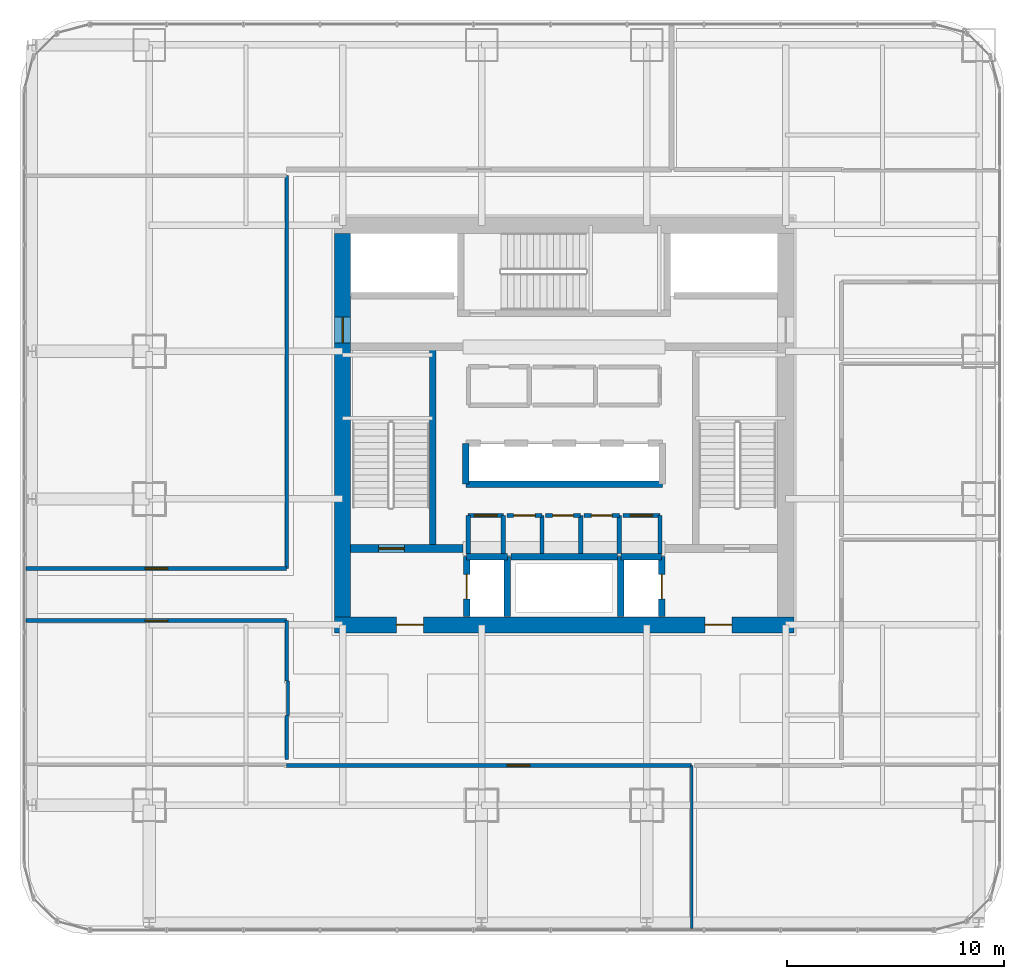
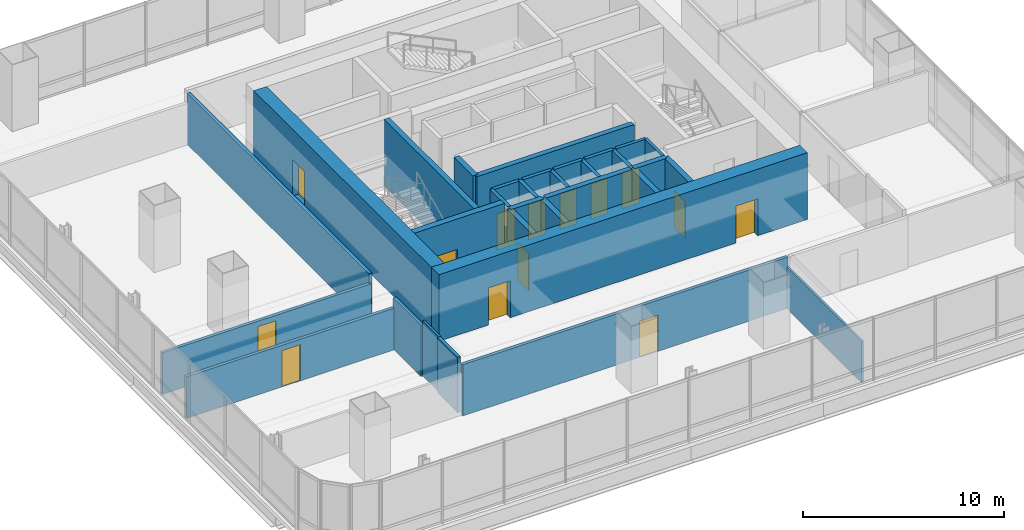
# One storey, part 28 of 35: 32 walls, 14 doors, 14 openings.
"""IFC4 building model written with IfcOpenShell, lengths in metres."""

import ifcopenshell
import ifcopenshell.guid

model = None  # the IFC model being written
_history = None  # IfcOwnerHistory: only IFC2X3 demands one
_inside = {}  # id of a spatial element -> (the spatial element, [elements in it])
_under = {}  # id of a project, library or spatial element -> (it, [spatial elements below it])
_declared = {}  # id of a project -> (the project, [libraries it declares])
_typed = {}  # id of a type object -> (the type object, [elements of that type])
_made_of = {}  # id of a material, layer set ... -> (it, [elements and type objects made of it])


def new_model(schema):
    """Start an empty IFC model of exactly this schema.

    Asked for "IFC4X3", IfcOpenShell would pick the latest addendum, in which some entities
    have other attributes; the version numbers below select the first issue.
    IFC2X3 requires an IfcOwnerHistory on every rooted entity: one is made here for all.
    """
    global model, _history
    if schema == "IFC4X3":
        model = ifcopenshell.file(schema_version=(4, 3, 0, 0))
    else:
        model = ifcopenshell.file(schema=schema)
    _inside.clear()
    _under.clear()
    _declared.clear()
    _typed.clear()
    _made_of.clear()
    _history = None
    if model.schema == "IFC2X3":
        org = make("IfcOrganization", Name="unknown")
        user = make(
            "IfcPersonAndOrganization",
            ThePerson=make("IfcPerson", FamilyName="unknown"),
            TheOrganization=org,
        )
        app = make(
            "IfcApplication",
            ApplicationDeveloper=org,
            Version="unknown",
            ApplicationFullName="unknown",
            ApplicationIdentifier="unknown",
        )
        _history = make(
            "IfcOwnerHistory",
            OwningUser=user,
            OwningApplication=app,
            ChangeAction="ADDED",
            CreationDate=0,
        )
    return model


def make(cls, **values):
    """One entity of the class cls with the attributes given. An attribute that is None is left unset."""
    return model.create_entity(
        cls, **{name: value for name, value in values.items() if value is not None}
    )


def rooted(cls, **values):
    """An entity with a GlobalId (a new one), such as an element, a storey or a relation."""
    return make(cls, GlobalId=ifcopenshell.guid.new(), OwnerHistory=_history, **values)


def si_unit(unit_type, name, prefix=None):
    """IfcSIUnit, for example si_unit("LENGTHUNIT", "METRE", prefix="MILLI")."""
    return make("IfcSIUnit", UnitType=unit_type, Prefix=prefix, Name=name)


def assignment(units):
    """IfcUnitAssignment: the units of a project."""
    return None if units is None else make("IfcUnitAssignment", Units=units)


def point(xyz):
    """IfcCartesianPoint."""
    return None if xyz is None else make("IfcCartesianPoint", Coordinates=xyz)


def direction(xyz):
    """IfcDirection."""
    return None if xyz is None else make("IfcDirection", DirectionRatios=xyz)


def frame(location, z_axis=None, x_axis=None):
    """IfcAxis2Placement3D, a coordinate frame: its origin and axes. An axis left out is left unset."""
    return make(
        "IfcAxis2Placement3D",
        Location=point(location),
        Axis=direction(z_axis),
        RefDirection=direction(x_axis),
    )


def frame_2d(location, x_axis=None):
    """IfcAxis2Placement2D, a coordinate frame in the plane: its origin and x axis."""
    return make(
        "IfcAxis2Placement2D", Location=point(location), RefDirection=direction(x_axis)
    )


def origin():
    """The frame at (0, 0, 0) with its axes left unset."""
    return frame((0.0, 0.0, 0.0))


def place(relative_to, where):
    """IfcLocalPlacement: puts the frame where relative to a parent placement (None: the world)."""
    return make(
        "IfcLocalPlacement", PlacementRelTo=relative_to, RelativePlacement=where
    )


def context(
    kind, dimensions, precision=None, world=None, true_north=None, identifier=None
):
    """IfcGeometricRepresentationContext, for example the 3D "Model" context."""
    return make(
        "IfcGeometricRepresentationContext",
        ContextIdentifier=identifier,
        ContextType=kind,
        CoordinateSpaceDimension=dimensions,
        Precision=precision,
        WorldCoordinateSystem=world,
        TrueNorth=true_north,
    )


def subcontext(parent, identifier, kind, view, scale=None):
    """IfcGeometricRepresentationSubContext, for example "Body" below "Model"."""
    return make(
        "IfcGeometricRepresentationSubContext",
        ContextIdentifier=identifier,
        ContextType=kind,
        ParentContext=parent,
        TargetScale=scale,
        TargetView=view,
    )


def project(units=None, contexts=None):
    """IfcProject with its units and contexts."""
    return rooted(
        "IfcProject",
        Name="project",
        RepresentationContexts=contexts,
        UnitsInContext=assignment(units),
    )


def spatial(cls, under=None, at=None, **own):
    """A site, building, storey or space (cls), placed at a placement, below another one or the project."""
    s = rooted(cls, ObjectPlacement=at, **own)
    if under is not None:
        _under.setdefault(under.id(), (under, []))[1].append(s)
    return s


def profile(cls, at=None, kind="AREA", **sizes):
    """A parametric profile (cls). Its sizes go by their IFC names, for example OverallWidth=200.0."""
    return make(cls, ProfileType=kind, Position=at, **sizes)


def rectangle(**sizes):
    """IfcRectangleProfileDef."""
    return profile("IfcRectangleProfileDef", **sizes)


def extrude(swept, where, along, depth):
    """IfcExtrudedAreaSolid: the profile swept, set in the frame where, extruded along a direction by depth."""
    return make(
        "IfcExtrudedAreaSolid",
        SweptArea=swept,
        Position=where,
        ExtrudedDirection=direction(along),
        Depth=depth,
    )


def shape(context_of_items, identifier, shape_type, items):
    """IfcShapeRepresentation: the items that make up one representation, for example the "Body"."""
    return make(
        "IfcShapeRepresentation",
        ContextOfItems=context_of_items,
        RepresentationIdentifier=identifier,
        RepresentationType=shape_type,
        Items=items,
    )


def material(Name=None, Category=None):
    """IfcMaterial."""
    return make("IfcMaterial", Name=Name, Category=Category)


def layer(
    of_material, thickness, ventilated=None, Name=None, Category=None, Priority=None
):
    """IfcMaterialLayer: one layer of a wall or slab, of a material (None: an air gap)."""
    return make(
        "IfcMaterialLayer",
        Material=of_material,
        LayerThickness=thickness,
        IsVentilated=ventilated,
        Name=Name,
        Category=Category,
        Priority=Priority,
    )


def layer_set(layers, Name=None):
    """IfcMaterialLayerSet."""
    return make("IfcMaterialLayerSet", MaterialLayers=layers, LayerSetName=Name)


def made_of(thing, what):
    """Note that an element or type object is made of a material, layer set ...; save() writes the relation."""
    if what is not None:
        _made_of.setdefault(what.id(), (what, []))[1].append(thing)
    return thing


def type_object(cls, material=None, **own):
    """A type object (cls), such as IfcWallType, which elements share."""
    return made_of(rooted(cls, **own), material)


def element(
    cls,
    number,
    at=None,
    inside=None,
    cuts=None,
    type_object=None,
    material=None,
    context=None,
    identifier="Body",
    shape_type=None,
    held_by="IfcProductDefinitionShape",
    body=None,
    shapes=None,
    **own,
):
    """One element of the class cls, such as IfcWall. Its Tag is "e" and its number.

    at: its placement. inside: the storey or other place that contains it. cuts: it is an
    opening in that element (IfcRelVoidsElement). A single representation is given by context,
    identifier, shape_type and body (its items); several are given by shapes. held_by: the class
    of the entity that holds the representations. save() writes the other relations.
    """
    e = rooted(cls, Tag="e%d" % number, ObjectPlacement=at, **own)
    if body is not None:
        shapes = [shape(context, identifier, shape_type, body)]
    if shapes is not None:
        e.Representation = make(held_by, Representations=shapes)
    if inside is not None:
        _inside.setdefault(inside.id(), (inside, []))[1].append(e)
    if cuts is not None:
        rooted(
            "IfcRelVoidsElement", RelatingBuildingElement=cuts, RelatedOpeningElement=e
        )
    if type_object is not None:
        _typed.setdefault(type_object.id(), (type_object, []))[1].append(e)
    return made_of(e, material)


def fill(opening, filler):
    """IfcRelFillsElement: the door or window that sits in an opening."""
    return rooted(
        "IfcRelFillsElement",
        RelatingOpeningElement=opening,
        RelatedBuildingElement=filler,
    )


def aggregate(whole, parts):
    """IfcRelAggregates: a whole, such as a stair, and the parts it consists of."""
    return rooted("IfcRelAggregates", RelatingObject=whole, RelatedObjects=parts)


def save(model, path):
    """Write the relations noted so far, then the file.

    IfcRelAggregates (storeys below a building ...), IfcRelContainedInSpatialStructure (elements
    in a storey), IfcRelDefinesByType, IfcRelAssociatesMaterial and IfcRelDeclares: one each for
    every whole, place, type object, material and project.
    """
    for whole, parts in _under.values():
        aggregate(whole, parts)
    for where, things in _inside.values():
        rooted(
            "IfcRelContainedInSpatialStructure",
            RelatedElements=things,
            RelatingStructure=where,
        )
    for kind, things in _typed.values():
        rooted("IfcRelDefinesByType", RelatedObjects=things, RelatingType=kind)
    for what, things in _made_of.values():
        rooted("IfcRelAssociatesMaterial", RelatedObjects=things, RelatingMaterial=what)
    for by, libraries in _declared.values():
        rooted("IfcRelDeclares", RelatingContext=by, RelatedDefinitions=libraries)
    model.write(path)


model = new_model("IFC4")

# Units and contexts
model_context = context("Model", 3, precision=1e-05, world=origin(), true_north=direction((0.0, 1.0)))
body_context = subcontext(model_context, "Body", "Model", "MODEL_VIEW")
ifc_project = project(units=[si_unit("LENGTHUNIT", "METRE"), si_unit("AREAUNIT", "SQUARE_METRE"), si_unit("VOLUMEUNIT", "CUBIC_METRE"), si_unit("PLANEANGLEUNIT", "RADIAN"), si_unit("MASSUNIT", "GRAM", prefix="KILO")], contexts=[model_context])

# Site, building, storey
site_placement = place(None, origin())
site = spatial("IfcSite", under=ifc_project, at=site_placement, CompositionType="ELEMENT")
building_placement = place(site_placement, origin())
building = spatial("IfcBuilding", under=site, at=building_placement, Name="Punatoya Terracotta Tower", CompositionType="ELEMENT")
storey_placement = place(building_placement, frame((0.0, 0.0, 52.5)))
storey = spatial("IfcBuildingStorey", under=building, at=storey_placement, Name="L11", CompositionType="ELEMENT", Elevation=52.5)

# Wall, openings, doors
ifc_material_1 = material(Name="Concrete C60/75", Category="concrete")
ifc_layer_1 = layer(ifc_material_1, 0.75)
ifc_layer_set_1 = layer_set([ifc_layer_1], Name="Concrete C60/75")
wall_type_1 = type_object("IfcWallType", Name="WL-COR-750", PredefinedType="SHEAR", material=ifc_layer_set_1)
wall_1_placement = place(storey_placement, frame((10.574951171875, -9.199951171875, 0.0), z_axis=(0.0, 0.0, 1.0), x_axis=(-1.0, 0.0, 0.0)))
wall_1 = element("IfcWall", 1, at=wall_1_placement, inside=storey, type_object=wall_type_1, Name="L11 Core Shear Wall S", PredefinedType="SHEAR", context=body_context, shape_type="SweptSolid", body=[
    extrude(rectangle(XDim=21.14990234375, YDim=0.75, at=frame_2d((10.574951171875, 0.0))), origin(), (0.0, 0.0, 1.0), 4.050048828125),
])
opening_1_placement = place(wall_1_placement, frame((2.85009765625, 0.0, 0.0)))
opening_1 = element("IfcOpeningElement", 2, at=opening_1_placement, cuts=wall_1, Name="Opening FD-L1", PredefinedType="OPENING", context=body_context, shape_type="SweptSolid", body=[
    extrude(rectangle(XDim=1.25, YDim=2.25, at=frame_2d((0.625, 1.125))), frame((0.0, 0.385009765625, 0.0), z_axis=(0.0, -1.0, 0.0), x_axis=(1.0, 0.0, 0.0)), (0.0, 0.0, 1.0), 0.77001953125),
])
opening_2_placement = place(wall_1_placement, frame((17.050048828125, 0.0, 0.0)))
opening_2 = element("IfcOpeningElement", 3, at=opening_2_placement, cuts=wall_1, Name="Opening FD-L1", PredefinedType="OPENING", context=body_context, shape_type="SweptSolid", body=[
    extrude(rectangle(XDim=1.25, YDim=2.25, at=frame_2d((0.625, 1.125))), frame((0.0, 0.385009765625, 0.0), z_axis=(0.0, -1.0, 0.0), x_axis=(1.0, 0.0, 0.0)), (0.0, 0.0, 1.0), 0.77001953125),
])
ifc_material_2 = material(Name="Galvanised Steel Smokeproof Fire Door", Category="steel")
door_type_1 = type_object("IfcDoorType", Name="DR-FFL-1250", OperationType="NOTDEFINED", PredefinedType="DOOR", material=ifc_material_2)
door_1_placement = place(opening_1_placement, origin())
door_1 = element("IfcDoor", 4, at=door_1_placement, inside=storey, type_object=door_type_1, Name="L11 East Firefighting Lobby Corridor Fire Door", OperationType="SINGLE_SWING_LEFT", OverallHeight=2.25, OverallWidth=1.25, PredefinedType="DOOR", context=body_context, shape_type="SweptSolid", body=[
    extrude(rectangle(XDim=1.25, YDim=2.25, at=frame_2d((0.625, 1.125))), frame((0.0, 0.02490234375, 0.0), z_axis=(0.0, -1.0, 0.0), x_axis=(1.0, 0.0, 0.0)), (0.0, 0.0, 1.0), 0.050048828125),
])
fill(opening_1, door_1)
door_2_placement = place(opening_2_placement, origin())
door_2 = element("IfcDoor", 5, at=door_2_placement, inside=storey, type_object=door_type_1, Name="L11 West Firefighting Lobby Corridor Fire Door", OperationType="SINGLE_SWING_RIGHT", OverallHeight=2.25, OverallWidth=1.25, PredefinedType="DOOR", context=body_context, shape_type="SweptSolid", body=[
    extrude(rectangle(XDim=1.25, YDim=2.25, at=frame_2d((0.625, 1.125))), frame((0.0, 0.02490234375, 0.0), z_axis=(0.0, -1.0, 0.0), x_axis=(1.0, 0.0, 0.0)), (0.0, 0.0, 1.0), 0.050048828125),
])
fill(opening_2, door_2)

# Wall, opening, door
wall_2_placement = place(storey_placement, frame((-10.199951171875, -8.824951171875, 0.0), z_axis=(0.0, 0.0, 1.0), x_axis=(0.0, 1.0, 0.0)))
wall_2 = element("IfcWall", 6, at=wall_2_placement, inside=storey, type_object=wall_type_1, Name="L11 Core Shear Wall W", PredefinedType="SHEAR", context=body_context, shape_type="SweptSolid", body=[
    extrude(rectangle(XDim=17.64990234375, YDim=0.75, at=frame_2d((8.824951171875, 0.0))), origin(), (0.0, 0.0, 1.0), 4.050048828125),
])
opening_3_placement = place(wall_2_placement, frame((12.614990234375, 0.0, 0.0)))
opening_3 = element("IfcOpeningElement", 7, at=opening_3_placement, cuts=wall_2, Name="Opening SD-01", PredefinedType="OPENING", context=body_context, shape_type="SweptSolid", body=[
    extrude(rectangle(XDim=1.179931640625, YDim=2.199951171875, at=frame_2d((0.58984375, 1.10009765625))), frame((0.0, 0.385009765625, 0.0), z_axis=(0.0, -1.0, 0.0), x_axis=(1.0, 0.0, 0.0)), (0.0, 0.0, 1.0), 0.77001953125),
])
ifc_material_3 = material(Name="Galvanised Steel Pressurized Stair Fire Door", Category="steel")
door_type_2 = type_object("IfcDoorType", Name="DR-STR-1180", OperationType="NOTDEFINED", PredefinedType="DOOR", material=ifc_material_3)
door_3_placement = place(opening_3_placement, origin())
door_3 = element("IfcDoor", 8, at=door_3_placement, inside=storey, type_object=door_type_2, Name="L11 Central Lift Lobby West Fire Door", OperationType="SINGLE_SWING_LEFT", OverallHeight=2.199951171875, OverallWidth=1.179931640625, PredefinedType="DOOR", context=body_context, shape_type="SweptSolid", body=[
    extrude(rectangle(XDim=1.179931640625, YDim=2.199951171875, at=frame_2d((0.58984375, 1.10009765625))), frame((0.0, 0.02490234375, 0.0), z_axis=(0.0, -1.0, 0.0), x_axis=(1.0, 0.0, 0.0)), (0.0, 0.0, 1.0), 0.050048828125),
])
fill(opening_3, door_3)

# Wall
ifc_material_4 = material(Name="Gypsum Fireboard + Steel Stud", Category="steel")
ifc_layer_2 = layer(ifc_material_4, 0.179931640625)
ifc_layer_set_2 = layer_set([ifc_layer_2], Name="Gypsum Fireboard + Steel Stud")
wall_type_2 = type_object("IfcWallType", Name="WL-CORR-180", PredefinedType="PARTITIONING", material=ifc_layer_set_2)
wall_3_placement = place(storey_placement, frame((4.419921875, -5.89990234375, 0.0), z_axis=(0.0, 0.0, 1.0), x_axis=(0.0, 1.0, 0.0)))
element("IfcWall", 9, at=wall_3_placement, inside=storey, type_object=wall_type_2, Name="L11 Core Focus Booth Partition 10", PredefinedType="PARTITIONING", context=body_context, shape_type="SweptSolid", body=[
    extrude(rectangle(XDim=1.739990234375, YDim=0.179931640625, at=frame_2d((0.8701171875, 0.0))), origin(), (0.0, 0.0, 1.0), 3.81005859375),
])

# Wall, opening, door
wall_4_placement = place(storey_placement, frame((4.419921875, -4.159912109375, 0.0), z_axis=(0.0, 0.0, 1.0), x_axis=(-1.0, 0.0, 0.0)))
wall_4 = element("IfcWall", 10, at=wall_4_placement, inside=storey, type_object=wall_type_2, Name="L11 Core Focus Booth Partition 11", PredefinedType="PARTITIONING", context=body_context, shape_type="SweptSolid", body=[
    extrude(rectangle(XDim=1.719970703125, YDim=0.179931640625, at=frame_2d((0.85986328125, 0.0))), origin(), (0.0, 0.0, 1.0), 3.81005859375),
])
opening_4_placement = place(wall_4_placement, frame((0.35009765625, 0.0, 0.0)))
opening_4 = element("IfcOpeningElement", 11, at=opening_4_placement, cuts=wall_4, Name="Opening MD-01", PredefinedType="OPENING", context=body_context, shape_type="SweptSolid", body=[
    extrude(rectangle(XDim=1.02001953125, YDim=2.199951171875, at=frame_2d((0.510009765625, 1.10009765625))), frame((0.0, 0.099853515625, 0.0), z_axis=(0.0, -1.0, 0.0), x_axis=(1.0, 0.0, 0.0)), (0.0, 0.0, 1.0), 0.199951171875),
])
ifc_material_5 = material(Name="Aluminium + Acoustic Glass Leaf", Category="aluminium")
door_type_3 = type_object("IfcDoorType", Name="DR-MTG-1020", OperationType="NOTDEFINED", PredefinedType="DOOR", material=ifc_material_5)
door_4_placement = place(opening_4_placement, origin())
door_4 = element("IfcDoor", 12, at=door_4_placement, inside=storey, type_object=door_type_3, Name="L11 Focus Booth Door", OperationType="SINGLE_SWING_RIGHT", OverallHeight=2.199951171875, OverallWidth=1.02001953125, PredefinedType="DOOR", context=body_context, shape_type="SweptSolid", body=[
    extrude(rectangle(XDim=1.02001953125, YDim=2.199951171875, at=frame_2d((0.510009765625, 1.10009765625))), frame((0.0, 0.02490234375, 0.0), z_axis=(0.0, -1.0, 0.0), x_axis=(1.0, 0.0, 0.0)), (0.0, 0.0, 1.0), 0.050048828125),
])
fill(opening_4, door_4)

wall_5_placement = place(storey_placement, frame((-12.77001953125, -15.669921875, 0.0), z_axis=(0.0, 0.0, 1.0), x_axis=(1.0, 0.0, 0.0)))
wall_5 = element("IfcWall", 13, at=wall_5_placement, inside=storey, type_object=wall_type_2, Name="L11 Computational Simulation Laboratory Partition 23", PredefinedType="PARTITIONING", context=body_context, shape_type="SweptSolid", body=[
    extrude(rectangle(XDim=18.64404296875, YDim=0.179931640625, at=frame_2d((9.322021484375, 0.0))), origin(), (0.0, 0.0, 1.0), 3.10400390625),
])
opening_5_placement = place(wall_5_placement, frame((10.14697265625, 0.0, 0.0)))
opening_5 = element("IfcOpeningElement", 14, at=opening_5_placement, cuts=wall_5, Name="Opening OD-01", PredefinedType="OPENING", context=body_context, shape_type="SweptSolid", body=[
    extrude(rectangle(XDim=1.050048828125, YDim=2.199951171875, at=frame_2d((0.52490234375, 1.10009765625))), frame((0.0, 0.099853515625, 0.0), z_axis=(0.0, -1.0, 0.0), x_axis=(1.0, 0.0, 0.0)), (0.0, 0.0, 1.0), 0.199951171875),
])
ifc_material_6 = material(Name="Bengal Teak Solid-Core Leaf")
door_type_4 = type_object("IfcDoorType", Name="DR-OFF-1050", OperationType="NOTDEFINED", PredefinedType="DOOR", material=ifc_material_6)
door_5_placement = place(opening_5_placement, origin())
door_5 = element("IfcDoor", 15, at=door_5_placement, inside=storey, type_object=door_type_4, Name="L11 Computational Simulation Laboratory Door", OperationType="SINGLE_SWING_RIGHT", OverallHeight=2.199951171875, OverallWidth=1.050048828125, PredefinedType="DOOR", context=body_context, shape_type="SweptSolid", body=[
    extrude(rectangle(XDim=1.050048828125, YDim=2.199951171875, at=frame_2d((0.52490234375, 1.10009765625))), frame((0.0, 0.02490234375, 0.0), z_axis=(0.0, -1.0, 0.0), x_axis=(1.0, 0.0, 0.0)), (0.0, 0.0, 1.0), 0.050048828125),
])
fill(opening_5, door_5)

wall_6_placement = place(storey_placement, frame((-24.77001953125, -9.0, 0.0), z_axis=(0.0, 0.0, 1.0), x_axis=(1.0, 0.0, 0.0)))
wall_6 = element("IfcWall", 16, at=wall_6_placement, inside=storey, type_object=wall_type_2, Name="L11 Materials Testing Laboratory Partition 27", PredefinedType="PARTITIONING", context=body_context, shape_type="SweptSolid", body=[
    extrude(rectangle(XDim=12.0, YDim=0.179931640625, at=frame_2d((6.0, 0.0))), origin(), (0.0, 0.0, 1.0), 2.52392578125),
])
opening_6_placement = place(wall_6_placement, frame((5.47509765625, 0.0, 0.0)))
opening_6 = element("IfcOpeningElement", 17, at=opening_6_placement, cuts=wall_6, Name="Opening OD-01", PredefinedType="OPENING", context=body_context, shape_type="SweptSolid", body=[
    extrude(rectangle(XDim=1.050048828125, YDim=2.199951171875, at=frame_2d((0.52490234375, 1.10009765625))), frame((0.0, 0.099853515625, 0.0), z_axis=(0.0, -1.0, 0.0), x_axis=(1.0, 0.0, 0.0)), (0.0, 0.0, 1.0), 0.199951171875),
])
door_6_placement = place(opening_6_placement, origin())
door_6 = element("IfcDoor", 18, at=door_6_placement, inside=storey, type_object=door_type_4, Name="L11 Materials Testing Laboratory Door", OperationType="SINGLE_SWING_RIGHT", OverallHeight=2.199951171875, OverallWidth=1.050048828125, PredefinedType="DOOR", context=body_context, shape_type="SweptSolid", body=[
    extrude(rectangle(XDim=1.050048828125, YDim=2.199951171875, at=frame_2d((0.52490234375, 1.10009765625))), frame((0.0, 0.02490234375, 0.0), z_axis=(0.0, -1.0, 0.0), x_axis=(1.0, 0.0, 0.0)), (0.0, 0.0, 1.0), 0.050048828125),
])
fill(opening_6, door_6)

# Walls
wall_7_placement = place(storey_placement, frame((-12.77001953125, -9.0, 0.0), z_axis=(0.0, 0.0, 1.0), x_axis=(0.0, -1.0, 0.0)))
element("IfcWall", 19, at=wall_7_placement, inside=storey, type_object=wall_type_2, Name="L11 Materials Testing Laboratory Partition 28", PredefinedType="PARTITIONING", context=body_context, shape_type="SweptSolid", body=[
    extrude(rectangle(XDim=2.77001953125, YDim=0.179931640625, at=frame_2d((1.385009765625, 0.0))), origin(), (0.0, 0.0, 1.0), 3.10400390625),
])
wall_8_placement = place(storey_placement, frame((-12.77001953125, -13.3798828125, 0.0), z_axis=(0.0, 0.0, 1.0), x_axis=(0.0, -1.0, 0.0)))
element("IfcWall", 20, at=wall_8_placement, inside=storey, type_object=wall_type_2, Name="L11 Materials Testing Laboratory Partition 30", PredefinedType="PARTITIONING", context=body_context, shape_type="SweptSolid", body=[
    extrude(rectangle(XDim=2.010009765625, YDim=0.179931640625, at=frame_2d((1.0048828125, 0.0))), origin(), (0.0, 0.0, 1.0), 3.35400390625),
])

# Wall, opening, door
wall_9_placement = place(storey_placement, frame((-12.77001953125, -6.60009765625, 0.0), z_axis=(0.0, 0.0, 1.0), x_axis=(-1.0, 0.0, 0.0)))
wall_9 = element("IfcWall", 21, at=wall_9_placement, inside=storey, type_object=wall_type_2, Name="L11 Laboratory Staff Pantry Partition 37", PredefinedType="PARTITIONING", context=body_context, shape_type="SweptSolid", body=[
    extrude(rectangle(XDim=12.0, YDim=0.179931640625, at=frame_2d((6.0, 0.0))), origin(), (0.0, 0.0, 1.0), 2.52392578125),
])
opening_7_placement = place(wall_9_placement, frame((5.47509765625, 0.0, 0.0)))
opening_7 = element("IfcOpeningElement", 22, at=opening_7_placement, cuts=wall_9, Name="Opening OD-01", PredefinedType="OPENING", context=body_context, shape_type="SweptSolid", body=[
    extrude(rectangle(XDim=1.050048828125, YDim=2.199951171875, at=frame_2d((0.52490234375, 1.10009765625))), frame((0.0, 0.099853515625, 0.0), z_axis=(0.0, -1.0, 0.0), x_axis=(1.0, 0.0, 0.0)), (0.0, 0.0, 1.0), 0.199951171875),
])
door_7_placement = place(opening_7_placement, origin())
door_7 = element("IfcDoor", 23, at=door_7_placement, inside=storey, type_object=door_type_4, Name="L11 Laboratory Staff Pantry Door", OperationType="SINGLE_SWING_LEFT", OverallHeight=2.199951171875, OverallWidth=1.050048828125, PredefinedType="DOOR", context=body_context, shape_type="SweptSolid", body=[
    extrude(rectangle(XDim=1.050048828125, YDim=2.199951171875, at=frame_2d((0.52490234375, 1.10009765625))), frame((0.0, 0.02490234375, 0.0), z_axis=(0.0, -1.0, 0.0), x_axis=(1.0, 0.0, 0.0)), (0.0, 0.0, 1.0), 0.050048828125),
])
fill(opening_7, door_7)

# Walls
wall_10_placement = place(storey_placement, frame((-12.77001953125, 11.489990234375, 0.0), z_axis=(0.0, 0.0, 1.0), x_axis=(0.0, -1.0, 0.0)))
element("IfcWall", 24, at=wall_10_placement, inside=storey, type_object=wall_type_2, Name="L11 Laboratory Staff Pantry Partition 39", PredefinedType="PARTITIONING", context=body_context, shape_type="SweptSolid", body=[
    extrude(rectangle(XDim=18.090087890625, YDim=0.179931640625, at=frame_2d((9.044921875, 0.0))), origin(), (0.0, 0.0, 1.0), 3.10400390625),
])
ifc_material_7 = material(Name="Concrete C40/50", Category="concrete")
ifc_layer_3 = layer(ifc_material_7, 0.199951171875)
ifc_layer_set_3 = layer_set([ifc_layer_3], Name="Concrete C40/50")
wall_type_3 = type_object("IfcWallType", Name="WL-INT-200", PredefinedType="SOLIDWALL", material=ifc_layer_set_3)
wall_11_placement = place(storey_placement, frame((-2.800048828125, -5.89990234375, 0.0), z_axis=(0.0, 0.0, 1.0), x_axis=(0.0, 1.0, 0.0)))
element("IfcWall", 25, at=wall_11_placement, inside=storey, type_object=wall_type_3, Name="L11 Core Tea Pantry Partition 01", PredefinedType="SOLIDWALL", context=body_context, shape_type="SweptSolid", body=[
    extrude(rectangle(XDim=1.739990234375, YDim=0.199951171875, at=frame_2d((0.8701171875, 0.0))), origin(), (0.0, 0.0, 1.0), 3.81005859375),
])

# Wall, opening, door
wall_12_placement = place(storey_placement, frame((-2.800048828125, -4.159912109375, 0.0), z_axis=(0.0, 0.0, 1.0), x_axis=(-1.0, 0.0, 0.0)))
wall_12 = element("IfcWall", 26, at=wall_12_placement, inside=storey, type_object=wall_type_3, Name="L11 Core Tea Pantry Partition 02", PredefinedType="SOLIDWALL", context=body_context, shape_type="SweptSolid", body=[
    extrude(rectangle(XDim=1.619873046875, YDim=0.199951171875, at=frame_2d((0.81005859375, 0.0))), origin(), (0.0, 0.0, 1.0), 3.81005859375),
])
opening_8_placement = place(wall_12_placement, frame((0.284912109375, 0.0, 0.0)))
opening_8 = element("IfcOpeningElement", 27, at=opening_8_placement, cuts=wall_12, Name="Opening OD-01", PredefinedType="OPENING", context=body_context, shape_type="SweptSolid", body=[
    extrude(rectangle(XDim=1.050048828125, YDim=2.199951171875, at=frame_2d((0.52490234375, 1.10009765625))), frame((0.0, 0.10986328125, 0.0), z_axis=(0.0, -1.0, 0.0), x_axis=(1.0, 0.0, 0.0)), (0.0, 0.0, 1.0), 0.219970703125),
])
door_8_placement = place(opening_8_placement, origin())
door_8 = element("IfcDoor", 28, at=door_8_placement, inside=storey, type_object=door_type_4, Name="L11 Tea Pantry Door", OperationType="SINGLE_SWING_RIGHT", OverallHeight=2.199951171875, OverallWidth=1.050048828125, PredefinedType="DOOR", context=body_context, shape_type="SweptSolid", body=[
    extrude(rectangle(XDim=1.050048828125, YDim=2.199951171875, at=frame_2d((0.52490234375, 1.10009765625))), frame((0.0, 0.02490234375, 0.0), z_axis=(0.0, -1.0, 0.0), x_axis=(1.0, 0.0, 0.0)), (0.0, 0.0, 1.0), 0.050048828125),
])
fill(opening_8, door_8)

# Walls
for number, where, z_axis, x_axis, name in (
    (29, (-4.419921875, -4.159912109375, 0.0), (0.0, 0.0, 1.0), (0.0, -1.0, 0.0), "L11 Core Tea Pantry Partition 03"),
    (30, (-1.02001953125, -5.89990234375, 0.0), (0.0, 0.0, 1.0), (0.0, 1.0, 0.0), "L11 Accessible Washroom Partition 04"),
):
    element("IfcWall", number, at=place(storey_placement, frame(where, z_axis=z_axis, x_axis=x_axis)), inside=storey, type_object=wall_type_3, Name=name, PredefinedType="SOLIDWALL", context=body_context, shape_type="SweptSolid", body=[
        extrude(rectangle(XDim=1.739990234375, YDim=0.199951171875, at=frame_2d((0.8701171875, 0.0))), origin(), (0.0, 0.0, 1.0), 3.81005859375),
    ])

# Wall, opening, door
wall_13_placement = place(storey_placement, frame((-1.02001953125, -4.159912109375, 0.0), z_axis=(0.0, 0.0, 1.0), x_axis=(-1.0, 0.0, 0.0)))
wall_13 = element("IfcWall", 31, at=wall_13_placement, inside=storey, type_object=wall_type_3, Name="L11 Accessible Washroom Partition 05", PredefinedType="SOLIDWALL", context=body_context, shape_type="SweptSolid", body=[
    extrude(rectangle(XDim=1.619873046875, YDim=0.199951171875, at=frame_2d((0.81005859375, 0.0))), origin(), (0.0, 0.0, 1.0), 3.81005859375),
])
opening_9_placement = place(wall_13_placement, frame((0.31005859375, 0.0, 0.0)))
opening_9 = element("IfcOpeningElement", 32, at=opening_9_placement, cuts=wall_13, Name="Opening AWD-1", PredefinedType="OPENING", context=body_context, shape_type="SweptSolid", body=[
    extrude(rectangle(XDim=1.0, YDim=2.14990234375, at=frame_2d((0.5, 1.074951171875))), frame((0.0, 0.10986328125, 0.0), z_axis=(0.0, -1.0, 0.0), x_axis=(1.0, 0.0, 0.0)), (0.0, 0.0, 1.0), 0.219970703125),
])
ifc_material_8 = material(Name="Bengal Teak Accessible WC Leaf")
door_type_5 = type_object("IfcDoorType", Name="DR-ACC-1000", OperationType="NOTDEFINED", PredefinedType="DOOR", material=ifc_material_8)
door_9_placement = place(opening_9_placement, origin())
door_9 = element("IfcDoor", 33, at=door_9_placement, inside=storey, type_object=door_type_5, Name="L11 Accessible Washroom Door", OperationType="SINGLE_SWING_LEFT", OverallHeight=2.14990234375, OverallWidth=1.0, PredefinedType="DOOR", context=body_context, shape_type="SweptSolid", body=[
    extrude(rectangle(XDim=1.0, YDim=2.14990234375, at=frame_2d((0.5, 1.074951171875))), frame((0.0, 0.02490234375, 0.0), z_axis=(0.0, -1.0, 0.0), x_axis=(1.0, 0.0, 0.0)), (0.0, 0.0, 1.0), 0.050048828125),
])
fill(opening_9, door_9)

# Wall
wall_14_placement = place(storey_placement, frame((0.760009765625, -5.89990234375, 0.0), z_axis=(0.0, 0.0, 1.0), x_axis=(0.0, 1.0, 0.0)))
element("IfcWall", 34, at=wall_14_placement, inside=storey, type_object=wall_type_3, Name="L11 Female Washroom Partition 06", PredefinedType="SOLIDWALL", context=body_context, shape_type="SweptSolid", body=[
    extrude(rectangle(XDim=1.739990234375, YDim=0.199951171875, at=frame_2d((0.8701171875, 0.0))), origin(), (0.0, 0.0, 1.0), 3.81005859375),
])

# Wall, opening, door
wall_15_placement = place(storey_placement, frame((0.760009765625, -4.159912109375, 0.0), z_axis=(0.0, 0.0, 1.0), x_axis=(-1.0, 0.0, 0.0)))
wall_15 = element("IfcWall", 35, at=wall_15_placement, inside=storey, type_object=wall_type_3, Name="L11 Female Washroom Partition 07", PredefinedType="SOLIDWALL", context=body_context, shape_type="SweptSolid", body=[
    extrude(rectangle(XDim=1.6201171875, YDim=0.199951171875, at=frame_2d((0.81005859375, 0.0))), origin(), (0.0, 0.0, 1.0), 3.81005859375),
])
opening_10_placement = place(wall_15_placement, frame((0.3349609375, 0.0, 0.0)))
opening_10 = element("IfcOpeningElement", 36, at=opening_10_placement, cuts=wall_15, Name="Opening WD-01", PredefinedType="OPENING", context=body_context, shape_type="SweptSolid", body=[
    extrude(rectangle(XDim=0.949951171875, YDim=2.14990234375, at=frame_2d((0.47509765625, 1.074951171875))), frame((0.0, 0.10986328125, 0.0), z_axis=(0.0, -1.0, 0.0), x_axis=(1.0, 0.0, 0.0)), (0.0, 0.0, 1.0), 0.219970703125),
])
ifc_material_9 = material(Name="Moisture-Resistant Laminate Timber Leaf", Category="wood")
door_type_6 = type_object("IfcDoorType", Name="DR-WC-950", OperationType="NOTDEFINED", PredefinedType="DOOR", material=ifc_material_9)
door_10_placement = place(opening_10_placement, origin())
door_10 = element("IfcDoor", 37, at=door_10_placement, inside=storey, type_object=door_type_6, Name="L11 Female Washroom Door", OperationType="SINGLE_SWING_RIGHT", OverallHeight=2.14990234375, OverallWidth=0.949951171875, PredefinedType="DOOR", context=body_context, shape_type="SweptSolid", body=[
    extrude(rectangle(XDim=0.949951171875, YDim=2.14990234375, at=frame_2d((0.47509765625, 1.074951171875))), frame((0.0, 0.02490234375, 0.0), z_axis=(0.0, -1.0, 0.0), x_axis=(1.0, 0.0, 0.0)), (0.0, 0.0, 1.0), 0.050048828125),
])
fill(opening_10, door_10)

# Wall
wall_16_placement = place(storey_placement, frame((2.5400390625, -5.89990234375, 0.0), z_axis=(0.0, 0.0, 1.0), x_axis=(0.0, 1.0, 0.0)))
element("IfcWall", 38, at=wall_16_placement, inside=storey, type_object=wall_type_3, Name="L11 Male Washroom Partition 08", PredefinedType="SOLIDWALL", context=body_context, shape_type="SweptSolid", body=[
    extrude(rectangle(XDim=1.739990234375, YDim=0.199951171875, at=frame_2d((0.8701171875, 0.0))), origin(), (0.0, 0.0, 1.0), 3.81005859375),
])

# Wall, opening, door
wall_17_placement = place(storey_placement, frame((2.5400390625, -4.159912109375, 0.0), z_axis=(0.0, 0.0, 1.0), x_axis=(-1.0, 0.0, 0.0)))
wall_17 = element("IfcWall", 39, at=wall_17_placement, inside=storey, type_object=wall_type_3, Name="L11 Male Washroom Partition 09", PredefinedType="SOLIDWALL", context=body_context, shape_type="SweptSolid", body=[
    extrude(rectangle(XDim=1.6201171875, YDim=0.199951171875, at=frame_2d((0.81005859375, 0.0))), origin(), (0.0, 0.0, 1.0), 3.81005859375),
])
opening_11_placement = place(wall_17_placement, frame((0.3349609375, 0.0, 0.0)))
opening_11 = element("IfcOpeningElement", 40, at=opening_11_placement, cuts=wall_17, Name="Opening WD-01", PredefinedType="OPENING", context=body_context, shape_type="SweptSolid", body=[
    extrude(rectangle(XDim=0.949951171875, YDim=2.14990234375, at=frame_2d((0.47509765625, 1.074951171875))), frame((0.0, 0.10986328125, 0.0), z_axis=(0.0, -1.0, 0.0), x_axis=(1.0, 0.0, 0.0)), (0.0, 0.0, 1.0), 0.219970703125),
])
door_11_placement = place(opening_11_placement, origin())
door_11 = element("IfcDoor", 41, at=door_11_placement, inside=storey, type_object=door_type_6, Name="L11 Male Washroom Door", OperationType="SINGLE_SWING_LEFT", OverallHeight=2.14990234375, OverallWidth=0.949951171875, PredefinedType="DOOR", context=body_context, shape_type="SweptSolid", body=[
    extrude(rectangle(XDim=0.949951171875, YDim=2.14990234375, at=frame_2d((0.47509765625, 1.074951171875))), frame((0.0, 0.02490234375, 0.0), z_axis=(0.0, -1.0, 0.0), x_axis=(1.0, 0.0, 0.0)), (0.0, 0.0, 1.0), 0.050048828125),
])
fill(opening_11, door_11)

# Walls
ifc_material_10 = material(Name="Gypsum Partition + Steel Stud", Category="steel")
ifc_layer_4 = layer(ifc_material_10, 0.1201171875)
ifc_layer_set_4 = layer_set([ifc_layer_4], Name="Gypsum Partition + Steel Stud")
wall_type_4 = type_object("IfcWallType", Name="WL-OFF-120", PredefinedType="PARTITIONING", material=ifc_layer_set_4)
wall_18_placement = place(storey_placement, frame((5.8740234375, -15.669921875, 0.0), z_axis=(0.0, 0.0, 1.0), x_axis=(0.0, -1.0, 0.0)))
element("IfcWall", 42, at=wall_18_placement, inside=storey, type_object=wall_type_4, Name="L11 Computational Simulation Laboratory Partition 24", PredefinedType="PARTITIONING", context=body_context, shape_type="SweptSolid", body=[
    extrude(rectangle(XDim=7.5, YDim=0.1201171875, at=frame_2d((3.75, 0.0))), origin(), (0.0, 0.0, 1.0), 2.52392578125),
])
wall_19_placement = place(storey_placement, frame((-12.7099609375, -11.77001953125, 0.0), z_axis=(0.0, 0.0, 1.0), x_axis=(0.0, -1.0, 0.0)))
element("IfcWall", 43, at=wall_19_placement, inside=storey, type_object=wall_type_4, Name="L11 Materials Testing Laboratory Partition 29", PredefinedType="PARTITIONING", context=body_context, shape_type="SweptSolid", body=[
    extrude(rectangle(XDim=1.60986328125, YDim=0.1201171875, at=frame_2d((0.804931640625, 0.0))), origin(), (0.0, 0.0, 1.0), 3.35400390625),
])
ifc_layer_5 = layer(ifc_material_7, 0.300048828125)
ifc_layer_set_5 = layer_set([ifc_layer_5], Name="Concrete C40/50")
wall_type_5 = type_object("IfcWallType", Name="WL-SHF-300", PredefinedType="SOLIDWALL", material=ifc_layer_set_5)
wall_20_placement = place(storey_placement, frame((-6.050048828125, -5.5, 0.0), z_axis=(0.0, 0.0, 1.0), x_axis=(0.0, 1.0, 0.0)))
element("IfcWall", 44, at=wall_20_placement, inside=storey, type_object=wall_type_5, Name="L11 Structural Stair Shaft Wall SW-ST1-E", PredefinedType="SOLIDWALL", context=body_context, shape_type="SweptSolid", body=[
    extrude(rectangle(XDim=8.949951171875, YDim=0.300048828125, at=frame_2d((4.47509765625, 0.0))), origin(), (0.0, 0.0, 1.0), 4.050048828125),
])

# Wall, opening, door
wall_21_placement = place(storey_placement, frame((-4.489990234375, -8.820068359375, 0.0), z_axis=(0.0, 0.0, 1.0), x_axis=(0.0, 1.0, 0.0)))
wall_21 = element("IfcWall", 45, at=wall_21_placement, inside=storey, type_object=wall_type_5, Name="L11 FFL-1 Front Hoistway Wall", PredefinedType="SOLIDWALL", context=body_context, shape_type="SweptSolid", body=[
    extrude(rectangle(XDim=2.77001953125, YDim=0.300048828125, at=frame_2d((1.385009765625, 0.0))), origin(), (0.0, 0.0, 1.0), 3.81005859375),
])
opening_12_placement = place(wall_21_placement, frame((0.824951171875, 0.0, 0.0)))
opening_12 = element("IfcOpeningElement", 46, at=opening_12_placement, cuts=wall_21, Name="Opening LD-02", PredefinedType="OPENING", context=body_context, shape_type="SweptSolid", body=[
    extrude(rectangle(XDim=1.1201171875, YDim=2.25, at=frame_2d((0.56005859375, 1.125))), frame((0.0, 0.159912109375, 0.0), z_axis=(0.0, -1.0, 0.0), x_axis=(1.0, 0.0, 0.0)), (0.0, 0.0, 1.0), 0.320068359375),
])
ifc_material_11 = material(Name="Stainless Steel Lift Landing Door", Category="steel")
door_type_7 = type_object("IfcDoorType", Name="DR-LND-1120", OperationType="NOTDEFINED", PredefinedType="DOOR", material=ifc_material_11)
door_12_placement = place(opening_12_placement, origin())
door_12 = element("IfcDoor", 47, at=door_12_placement, inside=storey, type_object=door_type_7, Name="L11 Firefighting Lift FFL-1 Sliding Landing Door", OperationType="SLIDING_TO_LEFT", OverallHeight=2.25, OverallWidth=1.1201171875, PredefinedType="DOOR", context=body_context, shape_type="SweptSolid", body=[
    extrude(rectangle(XDim=1.1201171875, YDim=2.25, at=frame_2d((0.56005859375, 1.125))), frame((0.0, 0.02490234375, 0.0), z_axis=(0.0, -1.0, 0.0), x_axis=(1.0, 0.0, 0.0)), (0.0, 0.0, 1.0), 0.050048828125),
])
fill(opening_12, door_12)

# Walls
wall_22_placement = place(storey_placement, frame((-2.610107421875, -8.820068359375, 0.0), z_axis=(0.0, 0.0, 1.0), x_axis=(0.0, 1.0, 0.0)))
element("IfcWall", 48, at=wall_22_placement, inside=storey, type_object=wall_type_5, Name="L11 FFL-1 Rear Hoistway Wall", PredefinedType="SOLIDWALL", context=body_context, shape_type="SweptSolid", body=[
    extrude(rectangle(XDim=2.77001953125, YDim=0.300048828125, at=frame_2d((1.385009765625, 0.0))), origin(), (0.0, 0.0, 1.0), 3.81005859375),
])
wall_23_placement = place(storey_placement, frame((-4.489990234375, -6.050048828125, 0.0), z_axis=(0.0, 0.0, 1.0), x_axis=(1.0, 0.0, 0.0)))
element("IfcWall", 49, at=wall_23_placement, inside=storey, type_object=wall_type_5, Name="L11 FFL-1 North Hoistway Wall", PredefinedType="SOLIDWALL", context=body_context, shape_type="SweptSolid", body=[
    extrude(rectangle(XDim=1.8798828125, YDim=0.300048828125, at=frame_2d((0.93994140625, 0.0))), origin(), (0.0, 0.0, 1.0), 3.81005859375),
])

# Wall, opening, door
wall_24_placement = place(storey_placement, frame((4.489990234375, -8.820068359375, 0.0), z_axis=(0.0, 0.0, 1.0), x_axis=(0.0, 1.0, 0.0)))
wall_24 = element("IfcWall", 50, at=wall_24_placement, inside=storey, type_object=wall_type_5, Name="L11 FFL-2 Front Hoistway Wall", PredefinedType="SOLIDWALL", context=body_context, shape_type="SweptSolid", body=[
    extrude(rectangle(XDim=2.77001953125, YDim=0.300048828125, at=frame_2d((1.385009765625, 0.0))), origin(), (0.0, 0.0, 1.0), 3.81005859375),
])
opening_13_placement = place(wall_24_placement, frame((0.824951171875, 0.0, 0.0)))
opening_13 = element("IfcOpeningElement", 51, at=opening_13_placement, cuts=wall_24, Name="Opening LD-02", PredefinedType="OPENING", context=body_context, shape_type="SweptSolid", body=[
    extrude(rectangle(XDim=1.1201171875, YDim=2.25, at=frame_2d((0.56005859375, 1.125))), frame((0.0, 0.159912109375, 0.0), z_axis=(0.0, -1.0, 0.0), x_axis=(1.0, 0.0, 0.0)), (0.0, 0.0, 1.0), 0.320068359375),
])
door_13_placement = place(opening_13_placement, origin())
door_13 = element("IfcDoor", 52, at=door_13_placement, inside=storey, type_object=door_type_7, Name="L11 Firefighting Lift FFL-2 Sliding Landing Door", OperationType="SLIDING_TO_RIGHT", OverallHeight=2.25, OverallWidth=1.1201171875, PredefinedType="DOOR", context=body_context, shape_type="SweptSolid", body=[
    extrude(rectangle(XDim=1.1201171875, YDim=2.25, at=frame_2d((0.56005859375, 1.125))), frame((0.0, 0.02490234375, 0.0), z_axis=(0.0, -1.0, 0.0), x_axis=(1.0, 0.0, 0.0)), (0.0, 0.0, 1.0), 0.050048828125),
])
fill(opening_13, door_13)

# Walls
wall_25_placement = place(storey_placement, frame((2.610107421875, -8.820068359375, 0.0), z_axis=(0.0, 0.0, 1.0), x_axis=(0.0, 1.0, 0.0)))
element("IfcWall", 53, at=wall_25_placement, inside=storey, type_object=wall_type_5, Name="L11 FFL-2 Rear Hoistway Wall", PredefinedType="SOLIDWALL", context=body_context, shape_type="SweptSolid", body=[
    extrude(rectangle(XDim=2.77001953125, YDim=0.300048828125, at=frame_2d((1.385009765625, 0.0))), origin(), (0.0, 0.0, 1.0), 3.81005859375),
])
wall_26_placement = place(storey_placement, frame((2.610107421875, -6.050048828125, 0.0), z_axis=(0.0, 0.0, 1.0), x_axis=(1.0, 0.0, 0.0)))
element("IfcWall", 54, at=wall_26_placement, inside=storey, type_object=wall_type_5, Name="L11 FFL-2 North Hoistway Wall", PredefinedType="SOLIDWALL", context=body_context, shape_type="SweptSolid", body=[
    extrude(rectangle(XDim=1.8798828125, YDim=0.300048828125, at=frame_2d((0.93994140625, 0.0))), origin(), (0.0, 0.0, 1.0), 3.81005859375),
])
wall_27_placement = place(storey_placement, frame((-4.52001953125, -2.719970703125, 0.0), z_axis=(0.0, 0.0, 1.0), x_axis=(1.0, 0.0, 0.0)))
element("IfcWall", 55, at=wall_27_placement, inside=storey, type_object=wall_type_5, Name="L11 South Lift Bank Rear Shaft Wall", PredefinedType="SOLIDWALL", context=body_context, shape_type="SweptSolid", body=[
    extrude(rectangle(XDim=9.0400390625, YDim=0.300048828125, at=frame_2d((4.52001953125, 0.0))), origin(), (0.0, 0.0, 1.0), 3.81005859375),
])
wall_28_placement = place(storey_placement, frame((-4.52001953125, -2.719970703125, 0.0), z_axis=(0.0, 0.0, 1.0), x_axis=(0.0, 1.0, 0.0)))
element("IfcWall", 56, at=wall_28_placement, inside=storey, type_object=wall_type_5, Name="L11 South Lift Bank West End Wall", PredefinedType="SOLIDWALL", context=body_context, shape_type="SweptSolid", body=[
    extrude(rectangle(XDim=1.8798828125, YDim=0.300048828125, at=frame_2d((0.93994140625, 0.0))), origin(), (0.0, 0.0, 1.0), 3.81005859375),
])
wall_29_placement = place(storey_placement, frame((-2.449951171875, -6.050048828125, 0.0), z_axis=(0.0, 0.0, 1.0), x_axis=(1.0, 0.0, 0.0)))
element("IfcWall", 57, at=wall_29_placement, inside=storey, type_object=wall_type_5, Name="L11 Observation Shuttle Rear Hoistway Wall", PredefinedType="SOLIDWALL", context=body_context, shape_type="SweptSolid", body=[
    extrude(rectangle(XDim=4.89990234375, YDim=0.300048828125, at=frame_2d((2.449951171875, 0.0))), origin(), (0.0, 0.0, 1.0), 3.81005859375),
])

# Wall, opening, door
ifc_material_12 = material(Name="Concrete C50/60", Category="concrete")
ifc_layer_6 = layer(ifc_material_12, 0.35009765625)
ifc_layer_set_6 = layer_set([ifc_layer_6], Name="Concrete C50/60")
wall_type_6 = type_object("IfcWallType", Name="WL-SHF-350", PredefinedType="SOLIDWALL", material=ifc_layer_set_6)
wall_30_placement = place(storey_placement, frame((-9.824951171875, -5.679931640625, 0.0), z_axis=(0.0, 0.0, 1.0), x_axis=(1.0, 0.0, 0.0)))
wall_30 = element("IfcWall", 58, at=wall_30_placement, inside=storey, type_object=wall_type_6, Name="L11 Core Web Wall CSW-L", PredefinedType="SOLIDWALL", context=body_context, shape_type="SweptSolid", body=[
    extrude(rectangle(XDim=5.175048828125, YDim=0.35009765625, at=frame_2d((2.58740234375, 0.0))), origin(), (0.0, 0.0, 1.0), 4.050048828125),
])
opening_14_placement = place(wall_30_placement, frame((1.284912109375, 0.0, 0.0)))
opening_14 = element("IfcOpeningElement", 59, at=opening_14_placement, cuts=wall_30, Name="Opening SD-01", PredefinedType="OPENING", context=body_context, shape_type="SweptSolid", body=[
    extrude(rectangle(XDim=1.179931640625, YDim=2.199951171875, at=frame_2d((0.58984375, 1.10009765625))), frame((0.0, 0.18505859375, 0.0), z_axis=(0.0, -1.0, 0.0), x_axis=(1.0, 0.0, 0.0)), (0.0, 0.0, 1.0), 0.3701171875),
])
door_14_placement = place(opening_14_placement, origin())
door_14 = element("IfcDoor", 60, at=door_14_placement, inside=storey, type_object=door_type_2, Name="L11 Stair ST-1 Smokeproof Lobby Fire Door", OperationType="SINGLE_SWING_LEFT", OverallHeight=2.199951171875, OverallWidth=1.179931640625, PredefinedType="DOOR", context=body_context, shape_type="SweptSolid", body=[
    extrude(rectangle(XDim=1.179931640625, YDim=2.199951171875, at=frame_2d((0.58984375, 1.10009765625))), frame((0.0, 0.02490234375, 0.0), z_axis=(0.0, -1.0, 0.0), x_axis=(1.0, 0.0, 0.0)), (0.0, 0.0, 1.0), 0.050048828125),
])
fill(opening_14, door_14)

save(model, "model.ifc")
